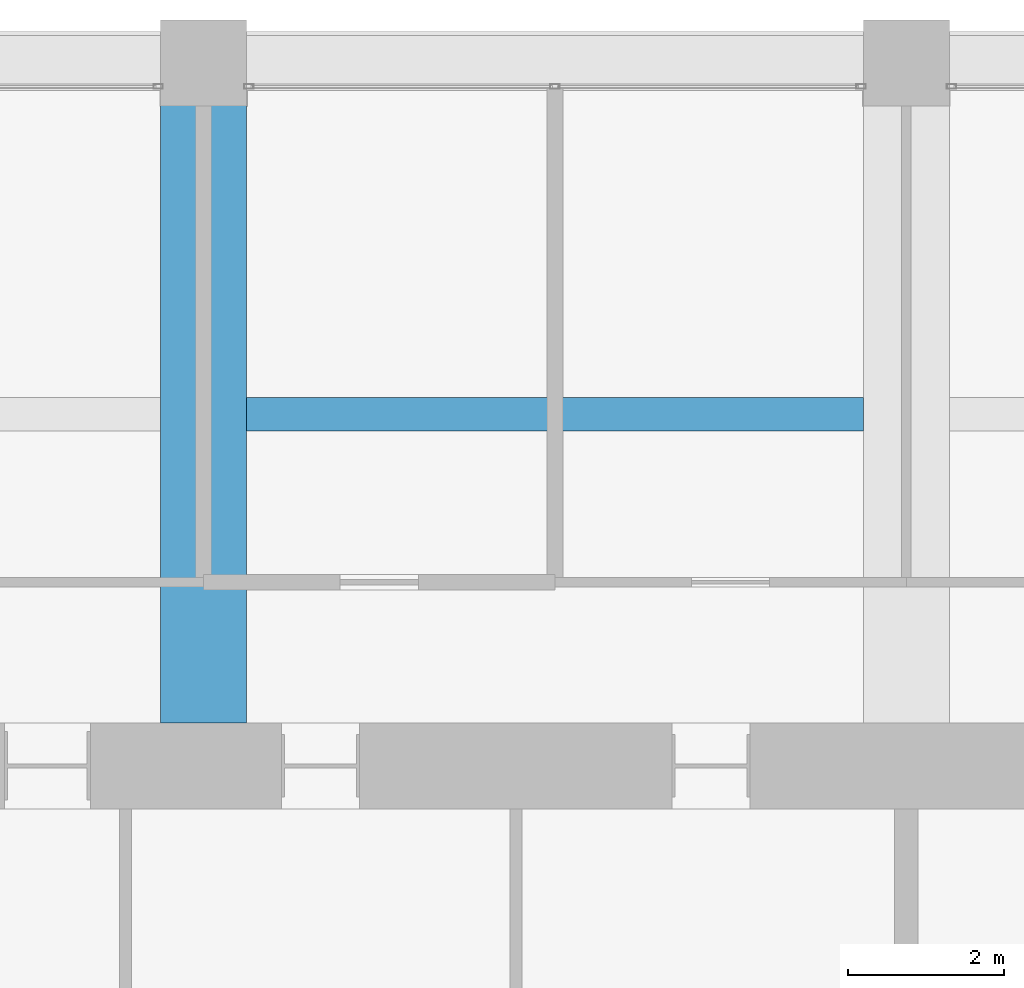
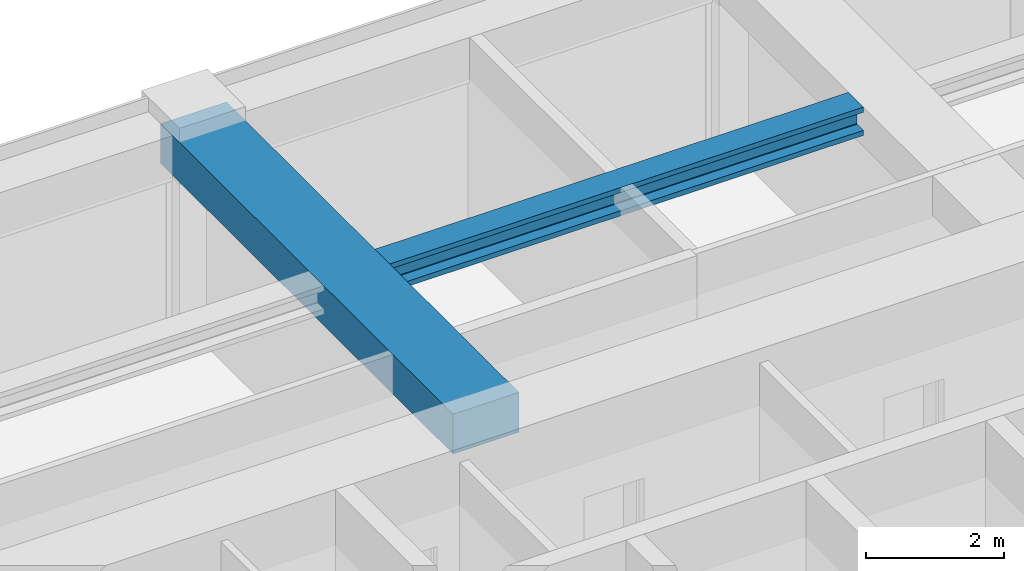
# One storey, part 32 of 45: 2 beams.
"""IFC4 building model written with IfcOpenShell, lengths in metres."""

from ifc_helpers import new_model, si_unit, direction, frame, origin, origin_2d, place, context, subcontext, project, spatial, rectangle, i_section, extrude, material, material_profile, profile_set, type_object, element, save


model = new_model("IFC4")

# Units and contexts
model_context = context("Model", 3, precision=1e-05, world=origin(), true_north=direction((0.0, 1.0)))
body_context = subcontext(model_context, "Body", "Model", "MODEL_VIEW")
ifc_project = project(units=[si_unit("LENGTHUNIT", "METRE"), si_unit("AREAUNIT", "SQUARE_METRE"), si_unit("VOLUMEUNIT", "CUBIC_METRE"), si_unit("PLANEANGLEUNIT", "RADIAN"), si_unit("MASSUNIT", "GRAM", prefix="KILO")], contexts=[model_context])

# Site, building, storey
site_placement = place(None, origin())
site = spatial("IfcSite", under=ifc_project, at=site_placement, CompositionType="ELEMENT")
building_placement = place(site_placement, origin())
building = spatial("IfcBuilding", under=site, at=building_placement, Name="Zorevar Civic Tower", CompositionType="ELEMENT")
storey_placement = place(building_placement, frame((0.0, 0.0, 279.39990234375)))
storey = spatial("IfcBuildingStorey", under=building, at=storey_placement, Name="L68", CompositionType="ELEMENT", Elevation=279.39990234375)

# Beams
ifc_material_1 = material(Name="Concrete C50/60", Category="concrete")
ifc_material_profile_1 = material_profile(ifc_material_1, rectangle(XDim=1.10009765625, YDim=0.699951171875, at=origin_2d()), Name="RC 1100x700")
ifc_profile_set_1 = profile_set([ifc_material_profile_1], Name="Concrete C50/60")
beam_type_1 = type_object("IfcBeamType", Name="Beam RC 1100x700", PredefinedType="BEAM", material=ifc_profile_set_1)
beam_1_placement = place(storey_placement, frame((27.0, 36.550048828125, 3.400146484375), z_axis=(0.0, 1.0, 0.0), x_axis=(-1.0, 0.0, 0.0)))
element("IfcBeam", 1, at=beam_1_placement, inside=storey, type_object=beam_type_1, Name="Girder L69", PredefinedType="BEAM", context=body_context, shape_type="SweptSolid", body=[
    extrude(rectangle(XDim=1.10009765625, YDim=0.699951171875, at=origin_2d()), origin(), (0.0, 0.0, 1.0), 8.449951171875),
])
ifc_material_2 = material(Name="Steel S460M (HISTAR 460)", Category="steel")
ifc_material_profile_2 = material_profile(ifc_material_2, i_section(OverallWidth=0.431884765625, OverallDepth=0.498046875, WebThickness=0.0556640625, FlangeThickness=0.0888671875, FilletRadius=0.014892578125, at=origin_2d()), Name="HD 400x744")
ifc_profile_set_2 = profile_set([ifc_material_profile_2], Name="Steel S460M (HISTAR 460)")
beam_type_2 = type_object("IfcBeamType", Name="Core bay beam HD 400x744", PredefinedType="BEAM", material=ifc_profile_set_2)
beam_2_placement = place(storey_placement, frame((27.550048828125, 40.5, 3.5009765625), z_axis=(1.0, 0.0, 0.0), x_axis=(0.0, 1.0, 0.0)))
element("IfcBeam", 2, at=beam_2_placement, inside=storey, type_object=beam_type_2, Name="Secondary beam L69", PredefinedType="BEAM", context=body_context, shape_type="SweptSolid", body=[
    extrude(i_section(OverallWidth=0.431884765625, OverallDepth=0.498046875, WebThickness=0.0556640625, FlangeThickness=0.0888671875, FilletRadius=0.014892578125, at=origin_2d()), origin(), (0.0, 0.0, 1.0), 7.89990234375),
])

save(model, "model.ifc")
